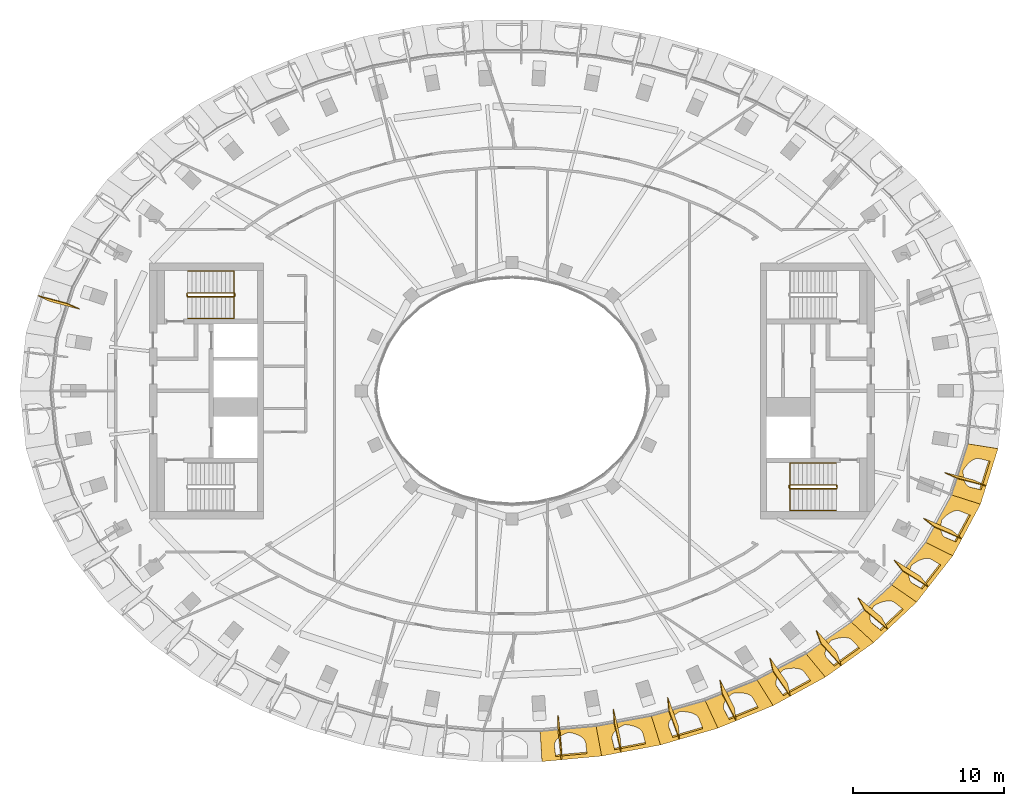
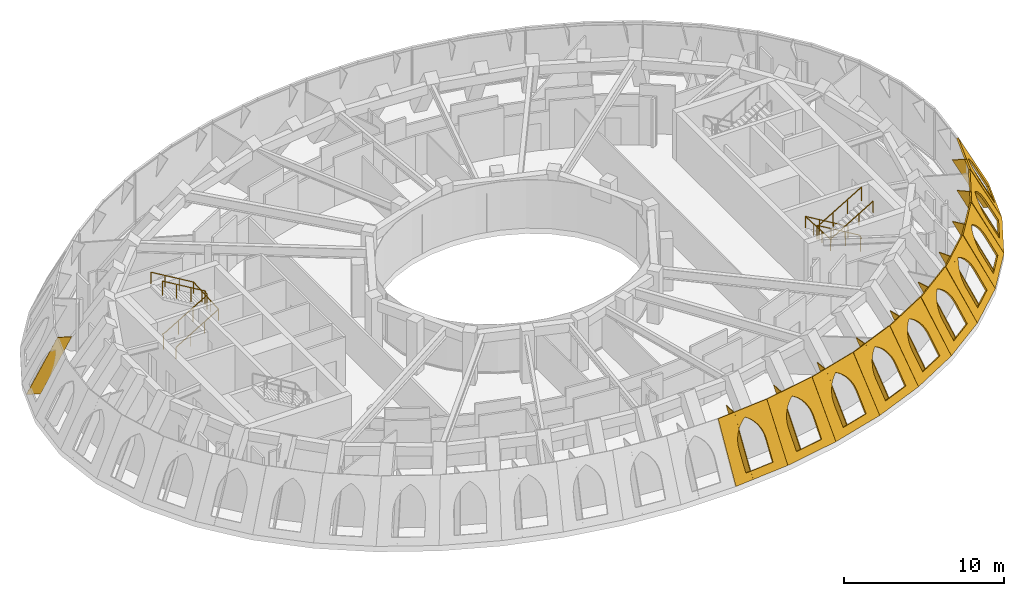
# One storey, part 11 of 13: 21 coverings, 4 railings.
"""IFC4 building model written with IfcOpenShell, lengths in metres."""

import ifcopenshell
import ifcopenshell.guid

model = None  # the IFC model being written
_history = None  # IfcOwnerHistory: only IFC2X3 demands one
_inside = {}  # id of a spatial element -> (the spatial element, [elements in it])
_under = {}  # id of a project, library or spatial element -> (it, [spatial elements below it])
_declared = {}  # id of a project -> (the project, [libraries it declares])
_typed = {}  # id of a type object -> (the type object, [elements of that type])
_made_of = {}  # id of a material, layer set ... -> (it, [elements and type objects made of it])


def new_model(schema):
    """Start an empty IFC model of exactly this schema.

    Asked for "IFC4X3", IfcOpenShell would pick the latest addendum, in which some entities
    have other attributes; the version numbers below select the first issue.
    IFC2X3 requires an IfcOwnerHistory on every rooted entity: one is made here for all.
    """
    global model, _history
    if schema == "IFC4X3":
        model = ifcopenshell.file(schema_version=(4, 3, 0, 0))
    else:
        model = ifcopenshell.file(schema=schema)
    _inside.clear()
    _under.clear()
    _declared.clear()
    _typed.clear()
    _made_of.clear()
    _history = None
    if model.schema == "IFC2X3":
        org = make("IfcOrganization", Name="unknown")
        user = make(
            "IfcPersonAndOrganization",
            ThePerson=make("IfcPerson", FamilyName="unknown"),
            TheOrganization=org,
        )
        app = make(
            "IfcApplication",
            ApplicationDeveloper=org,
            Version="unknown",
            ApplicationFullName="unknown",
            ApplicationIdentifier="unknown",
        )
        _history = make(
            "IfcOwnerHistory",
            OwningUser=user,
            OwningApplication=app,
            ChangeAction="ADDED",
            CreationDate=0,
        )
    return model


def make(cls, **values):
    """One entity of the class cls with the attributes given. An attribute that is None is left unset."""
    return model.create_entity(
        cls, **{name: value for name, value in values.items() if value is not None}
    )


def rooted(cls, **values):
    """An entity with a GlobalId (a new one), such as an element, a storey or a relation."""
    return make(cls, GlobalId=ifcopenshell.guid.new(), OwnerHistory=_history, **values)


def si_unit(unit_type, name, prefix=None):
    """IfcSIUnit, for example si_unit("LENGTHUNIT", "METRE", prefix="MILLI")."""
    return make("IfcSIUnit", UnitType=unit_type, Prefix=prefix, Name=name)


def assignment(units):
    """IfcUnitAssignment: the units of a project."""
    return None if units is None else make("IfcUnitAssignment", Units=units)


def point(xyz):
    """IfcCartesianPoint."""
    return None if xyz is None else make("IfcCartesianPoint", Coordinates=xyz)


def direction(xyz):
    """IfcDirection."""
    return None if xyz is None else make("IfcDirection", DirectionRatios=xyz)


def frame(location, z_axis=None, x_axis=None):
    """IfcAxis2Placement3D, a coordinate frame: its origin and axes. An axis left out is left unset."""
    return make(
        "IfcAxis2Placement3D",
        Location=point(location),
        Axis=direction(z_axis),
        RefDirection=direction(x_axis),
    )


def frame_2d(location, x_axis=None):
    """IfcAxis2Placement2D, a coordinate frame in the plane: its origin and x axis."""
    return make(
        "IfcAxis2Placement2D", Location=point(location), RefDirection=direction(x_axis)
    )


def origin():
    """The frame at (0, 0, 0) with its axes left unset."""
    return frame((0.0, 0.0, 0.0))


def origin_2d():
    """The frame at (0, 0) in the plane with its x axis left unset."""
    return frame_2d((0.0, 0.0))


def place(relative_to, where):
    """IfcLocalPlacement: puts the frame where relative to a parent placement (None: the world)."""
    return make(
        "IfcLocalPlacement", PlacementRelTo=relative_to, RelativePlacement=where
    )


def context(
    kind, dimensions, precision=None, world=None, true_north=None, identifier=None
):
    """IfcGeometricRepresentationContext, for example the 3D "Model" context."""
    return make(
        "IfcGeometricRepresentationContext",
        ContextIdentifier=identifier,
        ContextType=kind,
        CoordinateSpaceDimension=dimensions,
        Precision=precision,
        WorldCoordinateSystem=world,
        TrueNorth=true_north,
    )


def subcontext(parent, identifier, kind, view, scale=None):
    """IfcGeometricRepresentationSubContext, for example "Body" below "Model"."""
    return make(
        "IfcGeometricRepresentationSubContext",
        ContextIdentifier=identifier,
        ContextType=kind,
        ParentContext=parent,
        TargetScale=scale,
        TargetView=view,
    )


def project(units=None, contexts=None):
    """IfcProject with its units and contexts."""
    return rooted(
        "IfcProject",
        Name="project",
        RepresentationContexts=contexts,
        UnitsInContext=assignment(units),
    )


def spatial(cls, under=None, at=None, **own):
    """A site, building, storey or space (cls), placed at a placement, below another one or the project."""
    s = rooted(cls, ObjectPlacement=at, **own)
    if under is not None:
        _under.setdefault(under.id(), (under, []))[1].append(s)
    return s


def polyline(points):
    """IfcPolyline through the points."""
    return make("IfcPolyline", Points=[point(p) for p in points])


def profile(cls, at=None, kind="AREA", **sizes):
    """A parametric profile (cls). Its sizes go by their IFC names, for example OverallWidth=200.0."""
    return make(cls, ProfileType=kind, Position=at, **sizes)


def rectangle(**sizes):
    """IfcRectangleProfileDef."""
    return profile("IfcRectangleProfileDef", **sizes)


def outline(outer, holes=None, kind="AREA"):
    """IfcArbitraryClosedProfileDef: a profile drawn as a closed curve; with holes, ...WithVoids."""
    if holes is None:
        return make("IfcArbitraryClosedProfileDef", ProfileType=kind, OuterCurve=outer)
    return make(
        "IfcArbitraryProfileDefWithVoids",
        ProfileType=kind,
        OuterCurve=outer,
        InnerCurves=holes,
    )


def extrude(swept, where, along, depth):
    """IfcExtrudedAreaSolid: the profile swept, set in the frame where, extruded along a direction by depth."""
    return make(
        "IfcExtrudedAreaSolid",
        SweptArea=swept,
        Position=where,
        ExtrudedDirection=direction(along),
        Depth=depth,
    )


def shape(context_of_items, identifier, shape_type, items):
    """IfcShapeRepresentation: the items that make up one representation, for example the "Body"."""
    return make(
        "IfcShapeRepresentation",
        ContextOfItems=context_of_items,
        RepresentationIdentifier=identifier,
        RepresentationType=shape_type,
        Items=items,
    )


def material(Name=None, Category=None):
    """IfcMaterial."""
    return make("IfcMaterial", Name=Name, Category=Category)


def layer(
    of_material, thickness, ventilated=None, Name=None, Category=None, Priority=None
):
    """IfcMaterialLayer: one layer of a wall or slab, of a material (None: an air gap)."""
    return make(
        "IfcMaterialLayer",
        Material=of_material,
        LayerThickness=thickness,
        IsVentilated=ventilated,
        Name=Name,
        Category=Category,
        Priority=Priority,
    )


def layer_set(layers, Name=None):
    """IfcMaterialLayerSet."""
    return make("IfcMaterialLayerSet", MaterialLayers=layers, LayerSetName=Name)


def made_of(thing, what):
    """Note that an element or type object is made of a material, layer set ...; save() writes the relation."""
    if what is not None:
        _made_of.setdefault(what.id(), (what, []))[1].append(thing)
    return thing


def type_object(cls, material=None, **own):
    """A type object (cls), such as IfcWallType, which elements share."""
    return made_of(rooted(cls, **own), material)


def element(
    cls,
    number,
    at=None,
    inside=None,
    cuts=None,
    type_object=None,
    material=None,
    context=None,
    identifier="Body",
    shape_type=None,
    held_by="IfcProductDefinitionShape",
    body=None,
    shapes=None,
    **own,
):
    """One element of the class cls, such as IfcWall. Its Tag is "e" and its number.

    at: its placement. inside: the storey or other place that contains it. cuts: it is an
    opening in that element (IfcRelVoidsElement). A single representation is given by context,
    identifier, shape_type and body (its items); several are given by shapes. held_by: the class
    of the entity that holds the representations. save() writes the other relations.
    """
    e = rooted(cls, Tag="e%d" % number, ObjectPlacement=at, **own)
    if body is not None:
        shapes = [shape(context, identifier, shape_type, body)]
    if shapes is not None:
        e.Representation = make(held_by, Representations=shapes)
    if inside is not None:
        _inside.setdefault(inside.id(), (inside, []))[1].append(e)
    if cuts is not None:
        rooted(
            "IfcRelVoidsElement", RelatingBuildingElement=cuts, RelatedOpeningElement=e
        )
    if type_object is not None:
        _typed.setdefault(type_object.id(), (type_object, []))[1].append(e)
    return made_of(e, material)


def aggregate(whole, parts):
    """IfcRelAggregates: a whole, such as a stair, and the parts it consists of."""
    return rooted("IfcRelAggregates", RelatingObject=whole, RelatedObjects=parts)


def save(model, path):
    """Write the relations noted so far, then the file.

    IfcRelAggregates (storeys below a building ...), IfcRelContainedInSpatialStructure (elements
    in a storey), IfcRelDefinesByType, IfcRelAssociatesMaterial and IfcRelDeclares: one each for
    every whole, place, type object, material and project.
    """
    for whole, parts in _under.values():
        aggregate(whole, parts)
    for where, things in _inside.values():
        rooted(
            "IfcRelContainedInSpatialStructure",
            RelatedElements=things,
            RelatingStructure=where,
        )
    for kind, things in _typed.values():
        rooted("IfcRelDefinesByType", RelatedObjects=things, RelatingType=kind)
    for what, things in _made_of.values():
        rooted("IfcRelAssociatesMaterial", RelatedObjects=things, RelatingMaterial=what)
    for by, libraries in _declared.values():
        rooted("IfcRelDeclares", RelatingContext=by, RelatedDefinitions=libraries)
    model.write(path)


model = new_model("IFC4")

# Units and contexts
model_context = context("Model", 3, precision=1e-05, world=origin(), true_north=direction((0.0, 1.0)))
body_context = subcontext(model_context, "Body", "Model", "MODEL_VIEW")
ifc_project = project(units=[si_unit("LENGTHUNIT", "METRE"), si_unit("AREAUNIT", "SQUARE_METRE"), si_unit("VOLUMEUNIT", "CUBIC_METRE"), si_unit("PLANEANGLEUNIT", "RADIAN"), si_unit("MASSUNIT", "GRAM", prefix="KILO")], contexts=[model_context])

# Site, building, storey
site_placement = place(None, origin())
site = spatial("IfcSite", under=ifc_project, at=site_placement, CompositionType="ELEMENT")
building_placement = place(site_placement, origin())
building = spatial("IfcBuilding", under=site, at=building_placement, Name="Noorbagh Ring Tower", CompositionType="ELEMENT")
storey_placement = place(building_placement, frame((0.0, 0.0, 347.0)))
storey = spatial("IfcBuildingStorey", under=building, at=storey_placement, Name="L76", CompositionType="ELEMENT", Elevation=347.0)

# Railings
ifc_material_1 = material(Name="Stainless steel", Category="steel")
railing_type_1 = type_object("IfcRailingType", Name="CORE-STAIR-GUARD", PredefinedType="GUARDRAIL", material=ifc_material_1)
railing_1_placement = place(storey_placement, frame((-21.580078125, 6.300048828125, 0.0)))
element("IfcRailing", 1, at=railing_1_placement, inside=storey, type_object=railing_type_1, Name="L76 ST1 stair guard", PredefinedType="GUARDRAIL", context=body_context, shape_type="SweptSolid", body=[
    extrude(rectangle(XDim=0.048095703125, YDim=0.048095703125, at=origin_2d()), frame((0.0, 0.0, 1.076171875), z_axis=(0.0, 1.0, 0.0), x_axis=(-1.0, 0.0, 0.0)), (0.0, 0.0, 1.0), 0.14990234375),
    extrude(rectangle(XDim=0.048095703125, YDim=0.048095703125, at=origin_2d()), frame((0.0, 0.14990234375, 1.076171875), z_axis=(0.188775798145, -0.754182335027, 0.628945707965), x_axis=(0.970072785993, 0.242814311512, 0.0)), (0.0, 0.0, 1.0), 0.26513671875),
    extrude(rectangle(XDim=0.048095703125, YDim=0.048095703125, at=origin_2d()), frame((0.050048828125, -0.050048828125, 1.24267578125), z_axis=(0.859308565015, 0.0, 0.511457515432), x_axis=(0.0, 1.0, 0.0)), (0.0, 0.0, 1.0), 3.58447265625),
    extrude(rectangle(XDim=0.048095703125, YDim=0.048095703125, at=origin_2d()), frame((3.130126953125, -0.050048828125, 3.076171875), z_axis=(0.707106781187, 0.707106781187, 0.0), x_axis=(-0.707106781187, 0.707106781187, 0.0)), (0.0, 0.0, 1.0), 0.07080078125),
    extrude(rectangle(XDim=0.048095703125, YDim=0.048095703125, at=origin_2d()), frame((3.18017578125, 0.0, 3.076171875), z_axis=(0.0, 1.0, 0.0), x_axis=(-1.0, 0.0, 0.0)), (0.0, 0.0, 1.0), 0.14990234375),
    extrude(rectangle(XDim=0.048095703125, YDim=0.048095703125, at=origin_2d()), frame((3.18017578125, 0.14990234375, 3.076171875), z_axis=(-0.27628659633, 0.27628659633, 0.920506074601), x_axis=(-0.707106781187, -0.707106781187, 0.0)), (0.0, 0.0, 1.0), 0.18115234375),
    extrude(rectangle(XDim=0.048095703125, YDim=0.048095703125, at=origin_2d()), frame((3.130126953125, 0.199951171875, 3.24267578125), z_axis=(-0.859308565015, 0.0, 0.511457515432), x_axis=(0.0, -1.0, 0.0)), (0.0, 0.0, 1.0), 3.58447265625),
    extrude(rectangle(XDim=0.0419921875, YDim=0.0419921875, at=origin_2d()), origin(), (0.0, 0.0, 1.0), 1.052001953125),
    extrude(rectangle(XDim=0.0419921875, YDim=0.0419921875, at=origin_2d()), frame((1.07666015625, -0.050048828125, 0.77783203125)), (0.0, 0.0, 1.0), 1.052001953125),
    extrude(rectangle(XDim=0.0419921875, YDim=0.0419921875, at=origin_2d()), frame((2.103515625, -0.050048828125, 1.388916015625)), (0.0, 0.0, 1.0), 1.052001953125),
    extrude(rectangle(XDim=0.0419921875, YDim=0.0419921875, at=origin_2d()), frame((3.130126953125, -0.050048828125, 2.0)), (0.0, 0.0, 1.0), 1.052001953125),
    extrude(rectangle(XDim=0.0419921875, YDim=0.0419921875, at=origin_2d()), frame((3.130126953125, 0.199951171875, 2.166748046875)), (0.0, 0.0, 1.0), 1.052001953125),
    extrude(rectangle(XDim=0.0419921875, YDim=0.0419921875, at=origin_2d()), frame((2.103515625, 0.199951171875, 2.77783203125)), (0.0, 0.0, 1.0), 1.052001953125),
    extrude(rectangle(XDim=0.0419921875, YDim=0.0419921875, at=origin_2d()), frame((1.07666015625, 0.199951171875, 3.388916015625)), (0.0, 0.0, 1.0), 1.052001953125),
    extrude(rectangle(XDim=0.0419921875, YDim=0.0419921875, at=origin_2d()), frame((0.050048828125, 0.199951171875, 4.0)), (0.0, 0.0, 1.0), 1.052001953125),
])
railing_2_placement = place(storey_placement, frame((21.580078125, -6.300048828125, 0.0)))
element("IfcRailing", 2, at=railing_2_placement, inside=storey, type_object=railing_type_1, Name="L76 ST4 stair guard", PredefinedType="GUARDRAIL", context=body_context, shape_type="SweptSolid", body=[
    extrude(rectangle(XDim=0.048095703125, YDim=0.048095703125, at=origin_2d()), frame((0.0, 0.0, 1.076171875), z_axis=(0.0, -1.0, 0.0), x_axis=(1.0, 0.0, 0.0)), (0.0, 0.0, 1.0), 0.14990234375),
    extrude(rectangle(XDim=0.048095703125, YDim=0.048095703125, at=origin_2d()), frame((0.0, -0.14990234375, 1.076171875), z_axis=(-0.188775798145, 0.754182335027, 0.628945707965), x_axis=(-0.970072785993, -0.242814311512, 0.0)), (0.0, 0.0, 1.0), 0.26513671875),
    extrude(rectangle(XDim=0.048095703125, YDim=0.048095703125, at=origin_2d()), frame((-0.050048828125, 0.050048828125, 1.24267578125), z_axis=(-0.859308565015, 0.0, 0.511457515432), x_axis=(0.0, -1.0, 0.0)), (0.0, 0.0, 1.0), 3.58447265625),
    extrude(rectangle(XDim=0.048095703125, YDim=0.048095703125, at=origin_2d()), frame((-3.130126953125, 0.050048828125, 3.076171875), z_axis=(-0.707106781187, -0.707106781187, 0.0), x_axis=(0.707106781187, -0.707106781187, 0.0)), (0.0, 0.0, 1.0), 0.07080078125),
    extrude(rectangle(XDim=0.048095703125, YDim=0.048095703125, at=origin_2d()), frame((-3.18017578125, 0.0, 3.076171875), z_axis=(0.0, -1.0, 0.0), x_axis=(1.0, 0.0, 0.0)), (0.0, 0.0, 1.0), 0.14990234375),
    extrude(rectangle(XDim=0.048095703125, YDim=0.048095703125, at=origin_2d()), frame((-3.18017578125, -0.14990234375, 3.076171875), z_axis=(0.27628659633, -0.27628659633, 0.920506074601), x_axis=(0.707106781187, 0.707106781187, 0.0)), (0.0, 0.0, 1.0), 0.18115234375),
    extrude(rectangle(XDim=0.048095703125, YDim=0.048095703125, at=origin_2d()), frame((-3.130126953125, -0.199951171875, 3.24267578125), z_axis=(0.859308565015, 0.0, 0.511457515432), x_axis=(0.0, 1.0, 0.0)), (0.0, 0.0, 1.0), 3.58447265625),
    extrude(rectangle(XDim=0.0419921875, YDim=0.0419921875, at=origin_2d()), origin(), (0.0, 0.0, 1.0), 1.052001953125),
    extrude(rectangle(XDim=0.0419921875, YDim=0.0419921875, at=origin_2d()), frame((-1.07666015625, 0.050048828125, 0.77783203125)), (0.0, 0.0, 1.0), 1.052001953125),
    extrude(rectangle(XDim=0.0419921875, YDim=0.0419921875, at=origin_2d()), frame((-2.103515625, 0.050048828125, 1.388916015625)), (0.0, 0.0, 1.0), 1.052001953125),
    extrude(rectangle(XDim=0.0419921875, YDim=0.0419921875, at=origin_2d()), frame((-3.130126953125, 0.050048828125, 2.0)), (0.0, 0.0, 1.0), 1.052001953125),
    extrude(rectangle(XDim=0.0419921875, YDim=0.0419921875, at=origin_2d()), frame((-3.130126953125, -0.199951171875, 2.166748046875)), (0.0, 0.0, 1.0), 1.052001953125),
    extrude(rectangle(XDim=0.0419921875, YDim=0.0419921875, at=origin_2d()), frame((-2.103515625, -0.199951171875, 2.77783203125)), (0.0, 0.0, 1.0), 1.052001953125),
    extrude(rectangle(XDim=0.0419921875, YDim=0.0419921875, at=origin_2d()), frame((-1.07666015625, -0.199951171875, 3.388916015625)), (0.0, 0.0, 1.0), 1.052001953125),
    extrude(rectangle(XDim=0.0419921875, YDim=0.0419921875, at=origin_2d()), frame((-0.050048828125, -0.199951171875, 4.0)), (0.0, 0.0, 1.0), 1.052001953125),
])
ifc_material_2 = material(Name="Stainless steel", Category="steel")
railing_type_2 = type_object("IfcRailingType", Name="CORE-STAIR-HANDRAIL", PredefinedType="HANDRAIL", material=ifc_material_2)
railing_3_placement = place(storey_placement, frame((-21.530029296875, 4.800048828125, 0.166748046875)))
element("IfcRailing", 3, at=railing_3_placement, inside=storey, type_object=railing_type_2, Name="L76 ST1 stair handrail", PredefinedType="HANDRAIL", context=body_context, shape_type="SweptSolid", body=[
    extrude(rectangle(XDim=0.048095703125, YDim=0.048095703125, at=origin_2d()), frame((0.0, 0.0, 0.8759765625), z_axis=(0.859308565015, 0.0, 0.511457515432), x_axis=(0.0, 1.0, 0.0)), (0.0, 0.0, 1.0), 3.58447265625),
    extrude(rectangle(XDim=0.048095703125, YDim=0.048095703125, at=origin_2d()), frame((3.080078125, 0.0, 2.708984375), z_axis=(0.0, 0.998601747152, 0.052863509014), x_axis=(-1.0, 0.0, 0.0)), (0.0, 0.0, 1.0), 3.154296875),
    extrude(rectangle(XDim=0.048095703125, YDim=0.048095703125, at=origin_2d()), frame((3.080078125, 3.14990234375, 2.8759765625), z_axis=(-0.859308565015, 0.0, 0.511457515432), x_axis=(0.0, -1.0, 0.0)), (0.0, 0.0, 1.0), 3.58447265625),
    extrude(rectangle(XDim=0.0419921875, YDim=0.0419921875, at=origin_2d()), origin(), (0.0, 0.0, 1.0), 0.851806640625),
    extrude(rectangle(XDim=0.0419921875, YDim=0.0419921875, at=origin_2d()), frame((1.026611328125, 0.0, 0.611083984375)), (0.0, 0.0, 1.0), 0.851806640625),
    extrude(rectangle(XDim=0.0419921875, YDim=0.0419921875, at=origin_2d()), frame((2.053466796875, 0.0, 1.22216796875)), (0.0, 0.0, 1.0), 0.851806640625),
    extrude(rectangle(XDim=0.0419921875, YDim=0.0419921875, at=origin_2d()), frame((3.080078125, 0.0, 1.833251953125)), (0.0, 0.0, 1.0), 0.851806640625),
    extrude(rectangle(XDim=0.0419921875, YDim=0.0419921875, at=origin_2d()), frame((3.080078125, 1.050048828125, 1.888916015625)), (0.0, 0.0, 1.0), 0.851806640625),
    extrude(rectangle(XDim=0.0419921875, YDim=0.0419921875, at=origin_2d()), frame((3.080078125, 2.099853515625, 1.9443359375)), (0.0, 0.0, 1.0), 0.851806640625),
    extrude(rectangle(XDim=0.0419921875, YDim=0.0419921875, at=origin_2d()), frame((3.080078125, 3.14990234375, 2.0)), (0.0, 0.0, 1.0), 0.851806640625),
    extrude(rectangle(XDim=0.0419921875, YDim=0.0419921875, at=origin_2d()), frame((2.053466796875, 3.14990234375, 2.611083984375)), (0.0, 0.0, 1.0), 0.851806640625),
    extrude(rectangle(XDim=0.0419921875, YDim=0.0419921875, at=origin_2d()), frame((1.026611328125, 3.14990234375, 3.22216796875)), (0.0, 0.0, 1.0), 0.851806640625),
    extrude(rectangle(XDim=0.0419921875, YDim=0.0419921875, at=origin_2d()), frame((0.0, 3.14990234375, 3.833251953125)), (0.0, 0.0, 1.0), 0.851806640625),
])
railing_4_placement = place(storey_placement, frame((21.530029296875, -4.800048828125, 0.166748046875)))
element("IfcRailing", 4, at=railing_4_placement, inside=storey, type_object=railing_type_2, Name="L76 ST4 stair handrail", PredefinedType="HANDRAIL", context=body_context, shape_type="SweptSolid", body=[
    extrude(rectangle(XDim=0.048095703125, YDim=0.048095703125, at=origin_2d()), frame((0.0, 0.0, 0.8759765625), z_axis=(-0.859308565015, 0.0, 0.511457515432), x_axis=(0.0, -1.0, 0.0)), (0.0, 0.0, 1.0), 3.58447265625),
    extrude(rectangle(XDim=0.048095703125, YDim=0.048095703125, at=origin_2d()), frame((-3.080078125, 0.0, 2.708984375), z_axis=(0.0, -0.998601747152, 0.052863509014), x_axis=(1.0, 0.0, 0.0)), (0.0, 0.0, 1.0), 3.154296875),
    extrude(rectangle(XDim=0.048095703125, YDim=0.048095703125, at=origin_2d()), frame((-3.080078125, -3.14990234375, 2.8759765625), z_axis=(0.859308565015, 0.0, 0.511457515432), x_axis=(0.0, 1.0, 0.0)), (0.0, 0.0, 1.0), 3.58447265625),
    extrude(rectangle(XDim=0.0419921875, YDim=0.0419921875, at=origin_2d()), origin(), (0.0, 0.0, 1.0), 0.851806640625),
    extrude(rectangle(XDim=0.0419921875, YDim=0.0419921875, at=origin_2d()), frame((-1.026611328125, 0.0, 0.611083984375)), (0.0, 0.0, 1.0), 0.851806640625),
    extrude(rectangle(XDim=0.0419921875, YDim=0.0419921875, at=origin_2d()), frame((-2.053466796875, 0.0, 1.22216796875)), (0.0, 0.0, 1.0), 0.851806640625),
    extrude(rectangle(XDim=0.0419921875, YDim=0.0419921875, at=origin_2d()), frame((-3.080078125, 0.0, 1.833251953125)), (0.0, 0.0, 1.0), 0.851806640625),
    extrude(rectangle(XDim=0.0419921875, YDim=0.0419921875, at=origin_2d()), frame((-3.080078125, -1.050048828125, 1.888916015625)), (0.0, 0.0, 1.0), 0.851806640625),
    extrude(rectangle(XDim=0.0419921875, YDim=0.0419921875, at=origin_2d()), frame((-3.080078125, -2.099853515625, 1.9443359375)), (0.0, 0.0, 1.0), 0.851806640625),
    extrude(rectangle(XDim=0.0419921875, YDim=0.0419921875, at=origin_2d()), frame((-3.080078125, -3.14990234375, 2.0)), (0.0, 0.0, 1.0), 0.851806640625),
    extrude(rectangle(XDim=0.0419921875, YDim=0.0419921875, at=origin_2d()), frame((-2.053466796875, -3.14990234375, 2.611083984375)), (0.0, 0.0, 1.0), 0.851806640625),
    extrude(rectangle(XDim=0.0419921875, YDim=0.0419921875, at=origin_2d()), frame((-1.026611328125, -3.14990234375, 3.22216796875)), (0.0, 0.0, 1.0), 0.851806640625),
    extrude(rectangle(XDim=0.0419921875, YDim=0.0419921875, at=origin_2d()), frame((0.0, -3.14990234375, 3.833251953125)), (0.0, 0.0, 1.0), 0.851806640625),
])

# Coverings
ifc_material_3 = material(Name="Aluminium 6063-T6 black anodised", Category="aluminium")
ifc_layer_1 = layer(ifc_material_3, 0.050048828125)
ifc_layer_set_1 = layer_set([ifc_layer_1], Name="Aluminium 6063-T6 black anodised")
covering_type_1 = type_object("IfcCoveringType", Name="STYLE-HEAD-FIN", PredefinedType="CLADDING", material=ifc_layer_set_1)
covering_1_placement = place(storey_placement, frame((-31.48828125, 6.299072265625, 0.0), z_axis=(-0.412082297452, -0.90728385136, 0.083810459893), x_axis=(0.436028614384, -0.115598582198, 0.892477459229)))
element("IfcCovering", 5, at=covering_1_placement, inside=storey, type_object=covering_type_1, Name="Fin rib F22 L76", ObjectType="FIN", PredefinedType="CLADDING", context=body_context, shape_type="SweptSolid", body=[
    extrude(outline(polyline([(0.0, 0.0), (4.47863838945742, 2.220446049250313e-16), (4.878931325913204, -0.80603658078869), (0.4003711664441106, -0.8061331931167188), (0.0, 0.0)])), origin(), (0.0, 0.0, -1.0), 0.050048828125),
])
covering_2_placement = place(storey_placement, frame((3.310302734375, -24.492431640625, 0.0), z_axis=(0.99887915468, 0.03145222094, 0.035372194491), x_axis=(-0.045727503441, 0.448227638019, 0.892749113662)))
element("IfcCovering", 6, at=covering_2_placement, inside=storey, type_object=covering_type_1, Name="Fin rib F36 L76", ObjectType="FIN", PredefinedType="CLADDING", context=body_context, shape_type="SweptSolid", body=[
    extrude(outline(polyline([(0.0, 0.0), (4.4794482305285666, 2.220446049250313e-16), (4.883885488551667, -0.8038521009772928), (0.4044372580231002, -0.8038521009772928), (0.0, 0.0)])), origin(), (0.0, 0.0, -1.0), 0.050048828125),
])
covering_3_placement = place(storey_placement, frame((7.25341796875, -24.001953125, 0.0), z_axis=(0.994857634724, 0.056764054691, 0.08388163522), x_axis=(-0.100340260935, 0.439629071024, 0.892557063692)))
element("IfcCovering", 7, at=covering_3_placement, inside=storey, type_object=covering_type_1, Name="Fin rib F37 L76", ObjectType="FIN", PredefinedType="CLADDING", context=body_context, shape_type="SweptSolid", body=[
    extrude(outline(polyline([(0.0, 0.0), (4.479318599188797, -2.220446049250313e-16), (4.879549572146292, -0.8062706892033966), (0.4001236416413265, -0.8060518454742934), (0.0, 0.0)])), origin(), (0.0, 0.0, -1.0), 0.050048828125),
])
covering_4_placement = place(storey_placement, frame((11.127685546875, -23.139404296875, 0.0), z_axis=(0.98757757487, 0.094734243454, 0.125363298976), x_axis=(-0.153973289963, 0.424265000553, 0.892351632084)))
element("IfcCovering", 8, at=covering_4_placement, inside=storey, type_object=covering_type_1, Name="Fin rib F38 L76", ObjectType="FIN", PredefinedType="CLADDING", context=body_context, shape_type="SweptSolid", body=[
    extrude(outline(polyline([(0.0, 0.0), (4.479256403548876, -4.440892098500626e-16), (4.872628266365542, -0.8096004146070606), (0.3932682824942653, -0.8093805491138155), (0.0, 0.0)])), origin(), (0.0, 0.0, -1.0), 0.050048828125),
])
covering_5_placement = place(storey_placement, frame((14.890380859375, -21.898193359375, 0.0), z_axis=(0.975918653628, 0.150800659254, 0.15761326933), x_axis=(-0.20618652138, 0.401862314945, 0.892184845325)))
element("IfcCovering", 9, at=covering_5_placement, inside=storey, type_object=covering_type_1, Name="Fin rib F39 L76", ObjectType="FIN", PredefinedType="CLADDING", context=body_context, shape_type="SweptSolid", body=[
    extrude(outline(polyline([(0.0, 0.0), (4.479274460840103, 0.0), (4.865131220409407, -0.8133152695921884), (0.3857586486525693, -0.8130947623742283), (0.0, 0.0)])), origin(), (0.0, 0.0, -1.0), 0.050048828125),
])
covering_6_placement = place(storey_placement, frame((18.4921875, -20.27001953125, 0.0), z_axis=(0.956578102662, 0.230336747376, 0.178614994656), x_axis=(-0.256223685343, 0.372371882209, 0.892013791603)))
element("IfcCovering", 10, at=covering_6_placement, inside=storey, type_object=covering_type_1, Name="Fin rib F40 L76", ObjectType="FIN", PredefinedType="CLADDING", context=body_context, shape_type="SweptSolid", body=[
    extrude(outline(polyline([(0.0, 0.0), (4.479309071635422, 0.0), (4.859119097584525, -0.815941809121989), (0.37981002594910324, -0.815941809121989), (0.0, 0.0)])), origin(), (0.0, 0.0, -1.0), 0.050048828125),
])
covering_7_placement = place(storey_placement, frame((21.873046875, -18.24609375, 0.0), z_axis=(0.923060806857, 0.335840134808, 0.187537064862), x_axis=(-0.30323966051, 0.335386880163, 0.891942458295)))
element("IfcCovering", 11, at=covering_7_placement, inside=storey, type_object=covering_type_1, Name="Fin rib F41 L76", ObjectType="FIN", PredefinedType="CLADDING", context=body_context, shape_type="SweptSolid", body=[
    extrude(outline(polyline([(0.0, 0.0), (4.479152180725248, 0.0), (4.856153526429778, -0.8173891802470643), (0.37699349726223136, -0.8172320676501966), (0.0, 0.0)])), origin(), (0.0, 0.0, -1.0), 0.050048828125),
])
covering_8_placement = place(storey_placement, frame((24.959228515625, -15.822265625, 0.0), z_axis=(0.865058181165, 0.466928753151, 0.183444494821), x_axis=(-0.346195063704, 0.290976106134, 0.891897910933)))
element("IfcCovering", 12, at=covering_8_placement, inside=storey, type_object=covering_type_1, Name="Fin rib F42 L76", ObjectType="FIN", PredefinedType="CLADDING", context=body_context, shape_type="SweptSolid", body=[
    extrude(outline(polyline([(0.0, 0.0), (4.4787961237323985, 0.0), (4.8572419354619, -0.816564935036661), (0.3784458117295014, -0.816564935036661), (0.0, 0.0)])), origin(), (0.0, 0.0, -1.0), 0.050048828125),
])
covering_9_placement = place(storey_placement, frame((27.661865234375, -13.0029296875, 0.0), z_axis=(0.76886740061, 0.617715667366, 0.165137138676), x_axis=(-0.383700121487, 0.23913800724, 0.891956966599)))
element("IfcCovering", 13, at=covering_9_placement, inside=storey, type_object=covering_type_1, Name="Fin rib F43 L76", ObjectType="FIN", PredefinedType="CLADDING", context=body_context, shape_type="SweptSolid", body=[
    extrude(outline(polyline([(0.0, 0.0), (4.478773300137972, -2.220446049250313e-16), (4.862866613937064, -0.8139903760459031), (0.384093313799092, -0.8139903760459033), (0.0, 0.0)])), origin(), (0.0, 0.0, -1.0), 0.050048828125),
])
covering_10_placement = place(storey_placement, frame((29.875732421875, -9.810791015625, 0.0), z_axis=(0.620317178651, 0.773211310913, 0.131722688045), x_axis=(-0.414176474169, 0.180290687805, 0.892162045895)))
element("IfcCovering", 14, at=covering_10_placement, inside=storey, type_object=covering_type_1, Name="Fin rib F44 L76", ObjectType="FIN", PredefinedType="CLADDING", context=body_context, shape_type="SweptSolid", body=[
    extrude(outline(polyline([(0.0, 0.0), (4.478578661725208, 0.0), (4.87083646934287, -0.8099593856959779), (0.3922137913364603, -0.8098109531076696), (0.0, 0.0)])), origin(), (0.0, 0.0, -1.0), 0.050048828125),
])
covering_11_placement = place(storey_placement, frame((31.48828125, -6.299072265625, 0.0), z_axis=(0.412082297452, 0.90728385136, 0.083810459893), x_axis=(-0.436028614384, 0.115598582198, 0.892477459229)))
element("IfcCovering", 15, at=covering_11_placement, inside=storey, type_object=covering_type_1, Name="Fin rib F45 L76", ObjectType="FIN", PredefinedType="CLADDING", context=body_context, shape_type="SweptSolid", body=[
    extrude(outline(polyline([(0.0, 0.0), (4.47863838945742, 2.220446049250313e-16), (4.878931325913204, -0.80603658078869), (0.4003711664441106, -0.8061331931167188), (0.0, 0.0)])), origin(), (0.0, 0.0, -1.0), 0.050048828125),
])
ifc_material_4 = material(Name="Red sandstone jali", Category="masonry")
ifc_layer_2 = layer(ifc_material_4, 0.1201171875)
ifc_layer_set_2 = layer_set([ifc_layer_2], Name="Red sandstone jali")
covering_type_2 = type_object("IfcCoveringType", Name="STYLE-HEAD-SKIN", PredefinedType="CLADDING", material=ifc_layer_set_2)
covering_12_placement = place(storey_placement, frame((1.98974609375, -24.61474609375, 0.0), z_axis=(0.082376912691, -0.888958269208, 0.450518856279), x_axis=(0.995734587866, 0.092263916576, -1.502627e-05)))
element("IfcCovering", 16, at=covering_12_placement, inside=storey, type_object=covering_type_2, Name="Head skin panel", ObjectType="HEAD SKIN", PredefinedType="CLADDING", context=body_context, shape_type="SweptSolid", body=[
    extrude(outline(polyline([(0.0, 0.0), (3.978271484375, 0.0), (3.795166015625, 4.48046875), (0.0634765625, 4.48046875), (0.0, 0.0)]), holes=[polyline([(0.93701171875, 0.550048828125), (0.916015625, 2.12060546875), (0.93017578125, 2.3935546875), (0.97998046875, 2.66162109375), (1.064453125, 2.92041015625), (1.181884765625, 3.16552734375), (1.330810546875, 3.392822265625), (1.50830078125, 3.598388671875), (1.71142578125, 3.77880859375), (1.936767578125, 3.930419921875), (2.166015625, 3.77880859375), (2.373779296875, 3.598388671875), (2.556884765625, 3.392822265625), (2.7119140625, 3.16552734375), (2.8359375, 2.92041015625), (2.92724609375, 2.66162109375), (2.984130859375, 2.3935546875), (3.005859375, 2.12060546875), (3.026611328125, 0.550048828125), (0.93701171875, 0.550048828125)])]), origin(), (0.0, 0.0, -1.0), 0.1201171875),
])
covering_13_placement = place(storey_placement, frame((5.951171875, -24.247802734375, 0.0), z_axis=(0.165566158357, -0.877180882396, 0.450712266048), x_axis=(0.982649266081, 0.185473501802, 7.67618e-07)))
element("IfcCovering", 17, at=covering_13_placement, inside=storey, type_object=covering_type_2, Name="Head skin panel", ObjectType="HEAD SKIN", PredefinedType="CLADDING", context=body_context, shape_type="SweptSolid", body=[
    extrude(outline(polyline([(0.0, 0.0), (3.975341796875, 0.0), (3.7333984375, 4.48095703125), (0.0068359375, 4.48095703125), (0.0, 0.0)]), holes=[polyline([(0.9296875, 0.550048828125), (0.888427734375, 2.12353515625), (0.899169921875, 2.39599609375), (0.9453125, 2.663818359375), (1.0263671875, 2.92236328125), (1.140625, 3.1669921875), (1.286376953125, 3.39404296875), (1.4609375, 3.599365234375), (1.661376953125, 3.779296875), (1.884521484375, 3.930908203125), (2.115478515625, 3.779296875), (2.3251953125, 3.599365234375), (2.5107421875, 3.39404296875), (2.668212890625, 3.1669921875), (2.79541015625, 2.92236328125), (2.889892578125, 2.663818359375), (2.9501953125, 2.39599609375), (2.975341796875, 2.12353515625), (3.0166015625, 0.550048828125), (0.9296875, 0.550048828125)])]), origin(), (0.0, 0.0, -1.0), 0.1201171875),
])
covering_14_placement = place(storey_placement, frame((9.857421875, -23.510498046875, 0.0), z_axis=(0.250335846728, -0.856897051797, 0.450621134064), x_axis=(0.95987875686, 0.280415356225, -1.1027728e-05)))
element("IfcCovering", 18, at=covering_14_placement, inside=storey, type_object=covering_type_2, Name="Head skin panel", ObjectType="HEAD SKIN", PredefinedType="CLADDING", context=body_context, shape_type="SweptSolid", body=[
    extrude(outline(polyline([(0.0, 0.0), (3.969482421875, 0.0), (3.6728515625, 4.480712890625), (-0.04541015625, 4.480712890625), (0.0, 0.0)]), holes=[polyline([(0.9228515625, 0.550048828125), (0.862548828125, 2.127685546875), (0.8701171875, 2.3994140625), (0.9130859375, 2.66650390625), (0.99072265625, 2.92431640625), (1.101806640625, 3.168701171875), (1.244384765625, 3.39501953125), (1.416259765625, 3.599853515625), (1.6142578125, 3.779296875), (1.8349609375, 3.930908203125), (2.067138671875, 3.779296875), (2.27880859375, 3.599853515625), (2.466064453125, 3.39501953125), (2.6259765625, 3.168701171875), (2.755859375, 2.92431640625), (2.853271484375, 2.66650390625), (2.91650390625, 2.3994140625), (2.944580078125, 2.127685546875), (3.0048828125, 0.550048828125), (0.9228515625, 0.550048828125)])]), origin(), (0.0, 0.0, -1.0), 0.1201171875),
])
covering_15_placement = place(storey_placement, frame((13.667724609375, -22.3974609375, 0.0), z_axis=(0.337459273194, -0.826618856562, 0.450358196231), x_axis=(0.925820029422, 0.377964645086, 1.3652476e-05)))
element("IfcCovering", 19, at=covering_15_placement, inside=storey, type_object=covering_type_2, Name="Head skin panel", ObjectType="HEAD SKIN", PredefinedType="CLADDING", context=body_context, shape_type="SweptSolid", body=[
    extrude(outline(polyline([(0.0, 0.0), (3.9619140625, 0.0), (3.61669921875, 4.47998046875), (-0.0888671875, 4.480224609375), (0.0, 0.0)]), holes=[polyline([(0.91650390625, 0.550048828125), (0.83984375, 2.133056640625), (0.844482421875, 2.40380859375), (0.884521484375, 2.670166015625), (0.959228515625, 2.927001953125), (1.0673828125, 3.170654296875), (1.20751953125, 3.396240234375), (1.37646484375, 3.600341796875), (1.57177734375, 3.779296875), (1.790283203125, 3.93017578125), (2.023193359375, 3.779296875), (2.236083984375, 3.600341796875), (2.4248046875, 3.396240234375), (2.586669921875, 3.170654296875), (2.718505859375, 2.927001953125), (2.818115234375, 2.670166015625), (2.884033203125, 2.40380859375), (2.914794921875, 2.133056640625), (2.99169921875, 0.550048828125), (0.91650390625, 0.550048828125)])]), origin(), (0.0, 0.0, -1.0), 0.1201171875),
])
covering_16_placement = place(storey_placement, frame((17.335693359375, -20.89990234375, 0.0), z_axis=(0.427234031022, -0.784180344564, 0.450035854056), x_axis=(0.878136036799, 0.478411016248, -2.0183333e-05)))
element("IfcCovering", 20, at=covering_16_placement, inside=storey, type_object=covering_type_2, Name="Head skin panel", ObjectType="HEAD SKIN", PredefinedType="CLADDING", context=body_context, shape_type="SweptSolid", body=[
    extrude(outline(polyline([(0.0, 0.0), (3.951171875, 0.0), (3.566162109375, 4.479248046875), (-0.12255859375, 4.479248046875), (0.0, 0.0)]), holes=[polyline([(0.91162109375, 0.550048828125), (0.821533203125, 2.140380859375), (0.823974609375, 2.409912109375), (0.86181640625, 2.675048828125), (0.93408203125, 2.930908203125), (1.039794921875, 3.173095703125), (1.17724609375, 3.39794921875), (1.343994140625, 3.60107421875), (1.537109375, 3.779296875), (1.753173828125, 3.92919921875), (1.986328125, 3.779296875), (2.199462890625, 3.60107421875), (2.38916015625, 3.39794921875), (2.552001953125, 3.173095703125), (2.685302734375, 2.930908203125), (2.78662109375, 2.675048828125), (2.854248046875, 2.409912109375), (2.88720703125, 2.140380859375), (2.977294921875, 0.550048828125), (0.91162109375, 0.550048828125)])]), origin(), (0.0, 0.0, -1.0), 0.1201171875),
])
covering_17_placement = place(storey_placement, frame((20.805419921875, -19.009765625, 0.0), z_axis=(0.519503724854, -0.726473779475, 0.449835222719), x_axis=(0.813415513616, 0.58168307701, 1.1369128e-05)))
element("IfcCovering", 21, at=covering_17_placement, inside=storey, type_object=covering_type_2, Name="Head skin panel", ObjectType="HEAD SKIN", PredefinedType="CLADDING", context=body_context, shape_type="SweptSolid", body=[
    extrude(outline(polyline([(0.0, 0.0), (3.937744140625, 0.0), (3.52685546875, 4.478759765625), (-0.140869140625, 4.478759765625), (0.0, 0.0)]), holes=[polyline([(0.907958984375, 0.550048828125), (0.809326171875, 2.14990234375), (0.810546875, 2.418212890625), (0.8466796875, 2.681640625), (0.917236328125, 2.93603515625), (1.021240234375, 3.177001953125), (1.15673828125, 3.400390625), (1.321533203125, 3.602294921875), (1.5126953125, 3.779541015625), (1.726806640625, 3.9287109375), (1.95947265625, 3.779541015625), (2.17236328125, 3.602294921875), (2.36181640625, 3.400390625), (2.52490234375, 3.177001953125), (2.65869140625, 2.93603515625), (2.760498046875, 2.681640625), (2.8291015625, 2.418212890625), (2.86328125, 2.14990234375), (2.9619140625, 0.550048828125), (0.907958984375, 0.550048828125)])]), origin(), (0.0, 0.0, -1.0), 0.1201171875),
])
covering_18_placement = place(storey_placement, frame((24.00830078125, -16.71923828125, 0.0), z_axis=(0.612803598172, -0.649702111939, 0.449843212475), x_axis=(0.72746470213, 0.686145106452, -6.807371e-06)))
element("IfcCovering", 22, at=covering_18_placement, inside=storey, type_object=covering_type_2, Name="Head skin panel", ObjectType="HEAD SKIN", PredefinedType="CLADDING", context=body_context, shape_type="SweptSolid", body=[
    extrude(outline(polyline([(0.0, 0.0), (3.92138671875, 0.0), (3.501708984375, 4.478759765625), (-0.140625, 4.478759765625), (0.0, 0.0)]), holes=[polyline([(0.906494140625, 0.550048828125), (0.8056640625, 2.162353515625), (0.806396484375, 2.4287109375), (0.84228515625, 2.690185546875), (0.912109375, 2.94287109375), (1.01513671875, 3.18212890625), (1.1494140625, 3.404052734375), (1.31298828125, 3.6044921875), (1.50244140625, 3.780517578125), (1.715087890625, 3.9287109375), (1.946044921875, 3.780517578125), (2.15771484375, 3.6044921875), (2.34619140625, 3.404052734375), (2.50830078125, 3.18212890625), (2.641357421875, 2.94287109375), (2.742919921875, 2.690185546875), (2.811279296875, 2.4287109375), (2.845458984375, 2.162353515625), (2.9462890625, 0.550048828125), (0.906494140625, 0.550048828125)])]), origin(), (0.0, 0.0, -1.0), 0.1201171875),
])
covering_19_placement = place(storey_placement, frame((26.861083984375, -14.028564453125, 0.0), z_axis=(0.703881454191, -0.549503169039, 0.450107948899), x_axis=(0.61536403836, 0.788243046455, -2.848601e-06)))
element("IfcCovering", 23, at=covering_19_placement, inside=storey, type_object=covering_type_2, Name="Head skin panel", ObjectType="HEAD SKIN", PredefinedType="CLADDING", context=body_context, shape_type="SweptSolid", body=[
    extrude(outline(polyline([(0.0, 0.0), (3.903564453125, 0.0), (3.4970703125, 4.4794921875), (-0.116455078125, 4.4794921875), (0.0, 0.0)]), holes=[polyline([(0.90771484375, 0.550048828125), (0.812744140625, 2.177001953125), (0.814697265625, 2.441162109375), (0.851318359375, 2.70068359375), (0.921630859375, 2.951416015625), (1.02490234375, 3.188720703125), (1.1591796875, 3.408935546875), (1.322021484375, 3.60791015625), (1.5107421875, 3.782470703125), (1.722412109375, 3.929443359375), (1.950927734375, 3.782470703125), (2.16015625, 3.60791015625), (2.34619140625, 3.408935546875), (2.506103515625, 3.188720703125), (2.63720703125, 2.951416015625), (2.73681640625, 2.70068359375), (2.8037109375, 2.441162109375), (2.83642578125, 2.177001953125), (2.931396484375, 0.550048828125), (0.90771484375, 0.550048828125)])]), origin(), (0.0, 0.0, -1.0), 0.1201171875),
])
covering_20_placement = place(storey_placement, frame((29.26318359375, -10.95166015625, 0.0), z_axis=(0.786518933307, -0.42239898485, 0.450518662373), x_axis=(0.473131170599, 0.880991995053, 7.770504e-06)))
element("IfcCovering", 24, at=covering_20_placement, inside=storey, type_object=covering_type_2, Name="Head skin panel", ObjectType="HEAD SKIN", PredefinedType="CLADDING", context=body_context, shape_type="SweptSolid", body=[
    extrude(outline(polyline([(0.0, 0.0), (3.884521484375, 0.0), (3.51806640625, 4.48046875), (-0.06591796875, 4.48046875), (0.0, 0.0)]), holes=[polyline([(0.912353515625, 0.550048828125), (0.8330078125, 2.192138671875), (0.83740234375, 2.4541015625), (0.876220703125, 2.711669921875), (0.94873046875, 2.96044921875), (1.053466796875, 3.19580078125), (1.188720703125, 3.4140625), (1.352294921875, 3.611572265625), (1.54150390625, 3.78466796875), (1.752685546875, 3.930419921875), (1.97802734375, 3.78466796875), (2.183837890625, 3.611572265625), (2.366455078125, 3.4140625), (2.522705078125, 3.19580078125), (2.650390625, 2.96044921875), (2.74658203125, 2.711669921875), (2.810302734375, 2.4541015625), (2.840087890625, 2.192138671875), (2.91943359375, 0.550048828125), (0.912353515625, 0.550048828125)])]), origin(), (0.0, 0.0, -1.0), 0.1201171875),
])
covering_21_placement = place(storey_placement, frame((31.10107421875, -7.529296875, 0.0), z_axis=(0.85150709208, -0.267962727309, 0.450701285676), x_axis=(0.300180845028, 0.953882309444, -2.691977e-06)))
element("IfcCovering", 25, at=covering_21_placement, inside=storey, type_object=covering_type_2, Name="Head skin panel", ObjectType="HEAD SKIN", PredefinedType="CLADDING", context=body_context, shape_type="SweptSolid", body=[
    extrude(outline(polyline([(0.0, 0.0), (3.868896484375, 0.0), (3.570068359375, 4.48095703125), (0.010986328125, 4.48095703125), (0.0, 0.0)]), holes=[polyline([(0.920166015625, 0.550048828125), (0.866943359375, 2.204833984375), (0.875732421875, 2.465087890625), (0.91845703125, 2.720703125), (0.994140625, 2.967529296875), (1.10205078125, 3.201416015625), (1.239990234375, 3.418212890625), (1.405517578125, 3.6142578125), (1.595947265625, 3.7861328125), (1.80810546875, 3.930908203125), (2.029541015625, 3.7861328125), (2.23095703125, 3.6142578125), (2.4091796875, 3.418212890625), (2.56103515625, 3.201416015625), (2.683837890625, 2.967529296875), (2.775634765625, 2.720703125), (2.834716796875, 2.465087890625), (2.860107421875, 2.204833984375), (2.913330078125, 0.550048828125), (0.920166015625, 0.550048828125)])]), origin(), (0.0, 0.0, -1.0), 0.1201171875),
])

save(model, "model.ifc")
